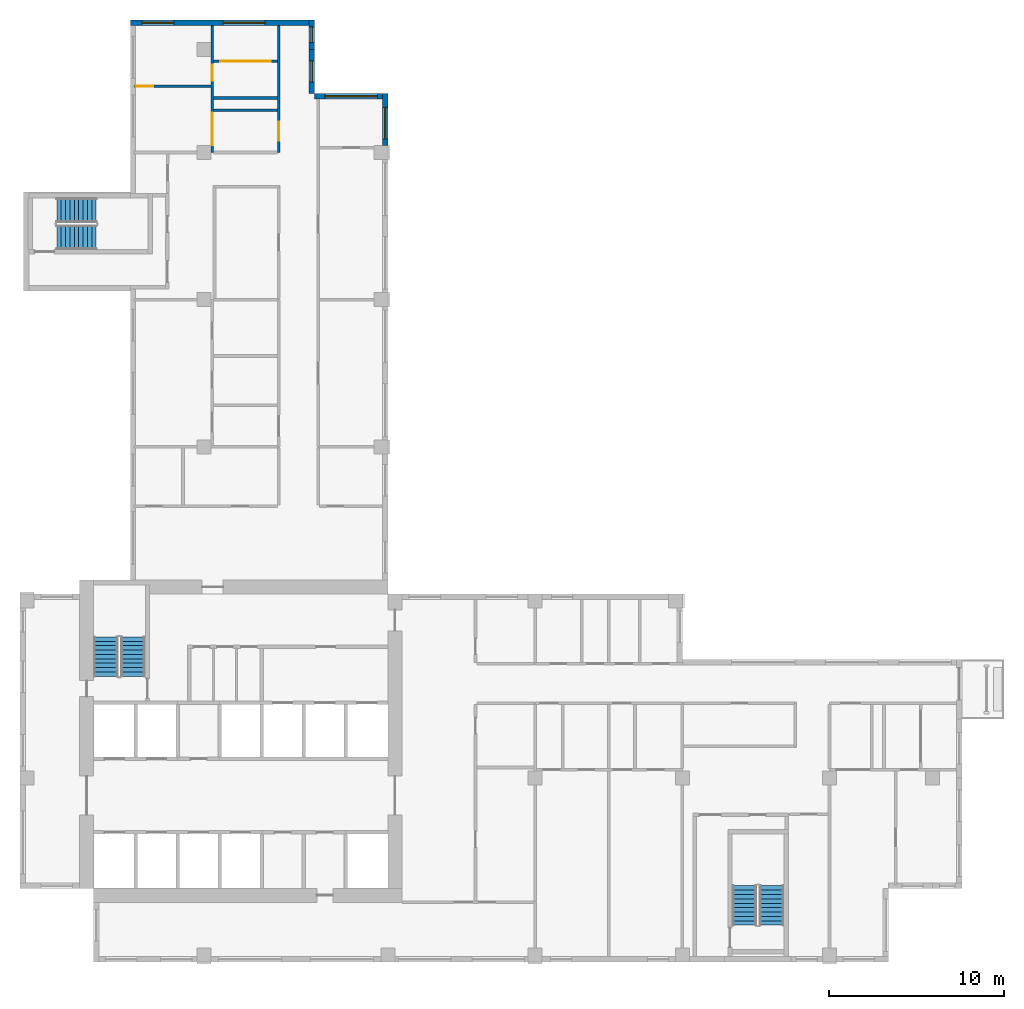
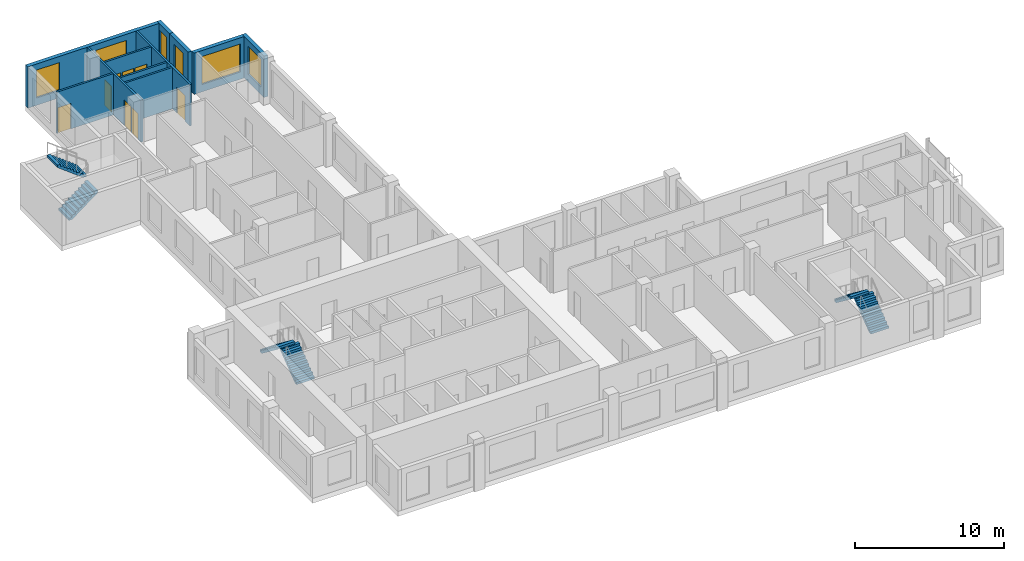
# One storey, part 7 of 11: 11 walls, 8 doors, 6 stair flights, 6 windows, 14 openings, 3 elements without a shape of their own.
"""IFC4 building model written with IfcOpenShell, lengths in metres."""

from ifc_helpers import new_model, si_unit, direction, frame, frame_2d, origin, place, context, subcontext, project, spatial, polyline, rectangle, outline, extrude, source, transform, mapped, material, layer, layer_set, type_object, element, fill, aggregate, save


model = new_model("IFC4")

# Units and contexts
model_context = context("Model", 3, precision=1e-05, world=origin(), true_north=direction((0.0, 1.0)))
body_context = subcontext(model_context, "Body", "Model", "MODEL_VIEW")
ifc_project = project(units=[si_unit("LENGTHUNIT", "METRE"), si_unit("AREAUNIT", "SQUARE_METRE"), si_unit("VOLUMEUNIT", "CUBIC_METRE"), si_unit("PLANEANGLEUNIT", "RADIAN"), si_unit("MASSUNIT", "GRAM", prefix="KILO")], contexts=[model_context])

# Site, building, storey
site_placement = place(None, origin())
site = spatial("IfcSite", under=ifc_project, at=site_placement, CompositionType="ELEMENT")
building_placement = place(site_placement, origin())
building = spatial("IfcBuilding", under=site, at=building_placement, Name="Aurelian Terraces", CompositionType="ELEMENT")
storey_placement = place(building_placement, frame((0.0, 0.0, 265.2)))
storey = spatial("IfcBuildingStorey", under=building, at=storey_placement, Name="L61", CompositionType="ELEMENT", Elevation=265.2)

# Wall, opening, window
ifc_material_1 = material(Name="Terracotta rainscreen cladding", Category="masonry")
ifc_layer_1 = layer(ifc_material_1, 0.3)
ifc_layer_set_1 = layer_set([ifc_layer_1], Name="EW-300")
wall_type_1 = type_object("IfcWallType", Name="EW-300", PredefinedType="STANDARD", material=ifc_layer_set_1)
shared_shape_1 = source(origin(), body_context, "Body", "SweptSolid", [
    extrude(rectangle(XDim=4.2, YDim=0.3, at=frame_2d((2.1, 0.0))), origin(), (0.0, 0.0, 1.0), 3.4),
])
wall_1_placement = place(storey_placement, frame((21.0, 49.41, 0.0), z_axis=(0.0, 0.0, 1.0), x_axis=(-1.0, 0.0, 0.0)))
wall_1 = element("IfcWall", 1, at=wall_1_placement, inside=storey, type_object=wall_type_1, Name="External wall L61 F09.21", PredefinedType="STANDARD", context=body_context, shape_type="MappedRepresentation", body=[
    mapped(shared_shape_1, transform((0.0, 0.0, 0.0), scale=1.0)),
])
shared_shape_2 = source(origin(), body_context, "Body", "SweptSolid", [
    extrude(rectangle(XDim=3.0, YDim=2.3, at=frame_2d((1.5, 1.15))), frame((0.0, 0.16, 0.0), z_axis=(0.0, -1.0, 0.0), x_axis=(1.0, 0.0, 0.0)), (0.0, 0.0, 1.0), 0.32),
])
opening_1_placement = place(wall_1_placement, frame((0.6, 0.0, 0.6)))
opening_1 = element("IfcOpeningElement", 2, at=opening_1_placement, cuts=wall_1, Name="Opening W3023", PredefinedType="OPENING", context=body_context, shape_type="MappedRepresentation", body=[
    mapped(shared_shape_2, transform((0.0, 0.0, 0.0), scale=1.0)),
])
ifc_material_2 = material(Name="Clear glazing", Category="glass")
window_type_1 = type_object("IfcWindowType", Name="W-3000x2300", PartitioningType="SINGLE_PANEL", PredefinedType="WINDOW", material=ifc_material_2)
shared_shape_3 = source(origin(), body_context, "Body", "SweptSolid", [
    extrude(rectangle(XDim=3.0, YDim=2.3, at=frame_2d((1.5, 1.15))), frame((0.0, 0.03, 0.0), z_axis=(0.0, -1.0, 0.0), x_axis=(1.0, 0.0, 0.0)), (0.0, 0.0, 1.0), 0.06),
])
window_1_placement = place(opening_1_placement, origin())
window_1 = element("IfcWindow", 3, at=window_1_placement, inside=storey, type_object=window_type_1, Name="Window L61 L61-F09-21-0", OverallHeight=2.3, OverallWidth=3.0, PartitioningType="SINGLE_PANEL", PredefinedType="WINDOW", context=body_context, shape_type="MappedRepresentation", body=[
    mapped(shared_shape_3, transform((0.0, 0.0, 0.0), scale=1.0)),
])
fill(opening_1, window_1)

shared_shape_4 = source(origin(), body_context, "Body", "SweptSolid", [
    extrude(rectangle(XDim=2.52, YDim=0.3, at=frame_2d((1.26, 0.0))), origin(), (0.0, 0.0, 1.0), 3.4),
])
wall_2_placement = place(storey_placement, frame((16.65, 49.56, 0.0), z_axis=(0.0, 0.0, 1.0), x_axis=(0.0, 1.0, 0.0)))
wall_2 = element("IfcWall", 4, at=wall_2_placement, inside=storey, type_object=wall_type_1, Name="External wall L61 F10.22", PredefinedType="STANDARD", context=body_context, shape_type="MappedRepresentation", body=[
    mapped(shared_shape_4, transform((0.0, 0.0, 0.0), scale=1.0)),
])
shared_shape_5 = source(origin(), body_context, "Body", "SweptSolid", [
    extrude(rectangle(XDim=1.2, YDim=2.3, at=frame_2d((0.6, 1.15))), frame((0.0, 0.16, 0.0), z_axis=(0.0, -1.0, 0.0), x_axis=(1.0, 0.0, 0.0)), (0.0, 0.0, 1.0), 0.32),
])
opening_2_placement = place(wall_2_placement, frame((0.66, 0.0, 0.6)))
opening_2 = element("IfcOpeningElement", 5, at=opening_2_placement, cuts=wall_2, Name="Opening W1223", PredefinedType="OPENING", context=body_context, shape_type="MappedRepresentation", body=[
    mapped(shared_shape_5, transform((0.0, 0.0, 0.0), scale=1.0)),
])
window_type_2 = type_object("IfcWindowType", Name="W-1200x2300", PartitioningType="SINGLE_PANEL", PredefinedType="WINDOW", material=ifc_material_2)
shared_shape_6 = source(origin(), body_context, "Body", "SweptSolid", [
    extrude(rectangle(XDim=1.2, YDim=2.3, at=frame_2d((0.6, 1.15))), frame((0.0, 0.03, 0.0), z_axis=(0.0, -1.0, 0.0), x_axis=(1.0, 0.0, 0.0)), (0.0, 0.0, 1.0), 0.06),
])
window_2_placement = place(opening_2_placement, origin())
window_2 = element("IfcWindow", 6, at=window_2_placement, inside=storey, type_object=window_type_2, Name="Window L61 L61-F10-22-0", OverallHeight=2.3, OverallWidth=1.2, PartitioningType="SINGLE_PANEL", PredefinedType="WINDOW", context=body_context, shape_type="MappedRepresentation", body=[
    mapped(shared_shape_6, transform((0.0, 0.0, 0.0), scale=1.0)),
])
fill(opening_2, window_2)

shared_shape_7 = source(origin(), body_context, "Body", "SweptSolid", [
    extrude(rectangle(XDim=1.68, YDim=0.3, at=frame_2d((0.84, 0.0))), origin(), (0.0, 0.0, 1.0), 3.4),
])
wall_3_placement = place(storey_placement, frame((16.65, 52.08, 0.0), z_axis=(0.0, 0.0, 1.0), x_axis=(0.0, 1.0, 0.0)))
wall_3 = element("IfcWall", 7, at=wall_3_placement, inside=storey, type_object=wall_type_1, Name="External wall L61 F10.23", PredefinedType="STANDARD", context=body_context, shape_type="MappedRepresentation", body=[
    mapped(shared_shape_7, transform((0.0, 0.0, 0.0), scale=1.0)),
])
shared_shape_8 = source(origin(), body_context, "Body", "SweptSolid", [
    extrude(rectangle(XDim=0.9, YDim=2.3, at=frame_2d((0.45, 1.15))), frame((0.0, 0.16, 0.0), z_axis=(0.0, -1.0, 0.0), x_axis=(1.0, 0.0, 0.0)), (0.0, 0.0, 1.0), 0.32),
])
opening_3_placement = place(wall_3_placement, frame((0.39, 0.0, 0.6)))
opening_3 = element("IfcOpeningElement", 8, at=opening_3_placement, cuts=wall_3, Name="Opening W0923", PredefinedType="OPENING", context=body_context, shape_type="MappedRepresentation", body=[
    mapped(shared_shape_8, transform((0.0, 0.0, 0.0), scale=1.0)),
])
window_type_3 = type_object("IfcWindowType", Name="W-900x2300", PartitioningType="SINGLE_PANEL", PredefinedType="WINDOW", material=ifc_material_2)
shared_shape_9 = source(origin(), body_context, "Body", "SweptSolid", [
    extrude(rectangle(XDim=0.9, YDim=2.3, at=frame_2d((0.45, 1.15))), frame((0.0, 0.03, 0.0), z_axis=(0.0, -1.0, 0.0), x_axis=(1.0, 0.0, 0.0)), (0.0, 0.0, 1.0), 0.06),
])
window_3_placement = place(opening_3_placement, origin())
window_3 = element("IfcWindow", 9, at=window_3_placement, inside=storey, type_object=window_type_3, Name="Window L61 L61-F10-23-P0", OverallHeight=2.3, OverallWidth=0.9, PartitioningType="SINGLE_PANEL", PredefinedType="WINDOW", context=body_context, shape_type="MappedRepresentation", body=[
    mapped(shared_shape_9, transform((0.0, 0.0, 0.0), scale=1.0)),
])
fill(opening_3, window_3)

# Wall, openings, windows
shared_shape_10 = source(origin(), body_context, "Body", "SweptSolid", [
    extrude(rectangle(XDim=10.5, YDim=0.3, at=frame_2d((5.25, 0.0))), origin(), (0.0, 0.0, 1.0), 3.4),
])
wall_4_placement = place(storey_placement, frame((16.8, 53.61, 0.0), z_axis=(0.0, 0.0, 1.0), x_axis=(-1.0, 0.0, 0.0)))
wall_4 = element("IfcWall", 10, at=wall_4_placement, inside=storey, type_object=wall_type_1, Name="External wall L61 F11.24", PredefinedType="STANDARD", context=body_context, shape_type="MappedRepresentation", body=[
    mapped(shared_shape_10, transform((0.0, 0.0, 0.0), scale=1.0)),
])
shared_shape_11 = source(origin(), body_context, "Body", "SweptSolid", [
    extrude(rectangle(XDim=1.8, YDim=2.3, at=frame_2d((0.9, 1.15))), frame((0.0, 0.16, 0.0), z_axis=(0.0, -1.0, 0.0), x_axis=(1.0, 0.0, 0.0)), (0.0, 0.0, 1.0), 0.32),
])
opening_4_placement = place(wall_4_placement, frame((8.025, 0.0, 0.6)))
opening_4 = element("IfcOpeningElement", 11, at=opening_4_placement, cuts=wall_4, Name="Opening W1823", PredefinedType="OPENING", context=body_context, shape_type="MappedRepresentation", body=[
    mapped(shared_shape_11, transform((0.0, 0.0, 0.0), scale=1.0)),
])
shared_shape_12 = source(origin(), body_context, "Body", "SweptSolid", [
    extrude(rectangle(XDim=2.4, YDim=2.3, at=frame_2d((1.2, 1.15))), frame((0.0, 0.16, 0.0), z_axis=(0.0, -1.0, 0.0), x_axis=(1.0, 0.0, 0.0)), (0.0, 0.0, 1.0), 0.32),
])
opening_5_placement = place(wall_4_placement, frame((2.8125, 0.0, 0.6)))
opening_5 = element("IfcOpeningElement", 12, at=opening_5_placement, cuts=wall_4, Name="Opening W2423", PredefinedType="OPENING", context=body_context, shape_type="MappedRepresentation", body=[
    mapped(shared_shape_12, transform((0.0, 0.0, 0.0), scale=1.0)),
])
window_type_4 = type_object("IfcWindowType", Name="W-1800x2300", PartitioningType="SINGLE_PANEL", PredefinedType="WINDOW", material=ifc_material_2)
shared_shape_13 = source(origin(), body_context, "Body", "SweptSolid", [
    extrude(rectangle(XDim=1.8, YDim=2.3, at=frame_2d((0.9, 1.15))), frame((0.0, 0.03, 0.0), z_axis=(0.0, -1.0, 0.0), x_axis=(1.0, 0.0, 0.0)), (0.0, 0.0, 1.0), 0.06),
])
window_4_placement = place(opening_4_placement, origin())
window_4 = element("IfcWindow", 13, at=window_4_placement, inside=storey, type_object=window_type_4, Name="Window L61 L61-F11-24-2", OverallHeight=2.3, OverallWidth=1.8, PartitioningType="SINGLE_PANEL", PredefinedType="WINDOW", context=body_context, shape_type="MappedRepresentation", body=[
    mapped(shared_shape_13, transform((0.0, 0.0, 0.0), scale=1.0)),
])
fill(opening_4, window_4)
window_type_5 = type_object("IfcWindowType", Name="W-2400x2300", PartitioningType="SINGLE_PANEL", PredefinedType="WINDOW", material=ifc_material_2)
shared_shape_14 = source(origin(), body_context, "Body", "SweptSolid", [
    extrude(rectangle(XDim=2.4, YDim=2.3, at=frame_2d((1.2, 1.15))), frame((0.0, 0.03, 0.0), z_axis=(0.0, -1.0, 0.0), x_axis=(1.0, 0.0, 0.0)), (0.0, 0.0, 1.0), 0.06),
])
window_5_placement = place(opening_5_placement, origin())
window_5 = element("IfcWindow", 14, at=window_5_placement, inside=storey, type_object=window_type_5, Name="Window L61 L61-F11-24-G0-0", OverallHeight=2.3, OverallWidth=2.4, PartitioningType="SINGLE_PANEL", PredefinedType="WINDOW", context=body_context, shape_type="MappedRepresentation", body=[
    mapped(shared_shape_14, transform((0.0, 0.0, 0.0), scale=1.0)),
])
fill(opening_5, window_5)

# Wall, opening, window
shared_shape_15 = source(origin(), body_context, "Body", "SweptSolid", [
    extrude(rectangle(XDim=2.96, YDim=0.3, at=frame_2d((1.48, 0.0))), origin(), (0.0, 0.0, 1.0), 3.4),
])
wall_5_placement = place(storey_placement, frame((20.85, 46.6, 0.0), z_axis=(0.0, 0.0, 1.0), x_axis=(0.0, 1.0, 0.0)))
wall_5 = element("IfcWall", 15, at=wall_5_placement, inside=storey, type_object=wall_type_1, Name="External wall L61 F08.20", PredefinedType="STANDARD", context=body_context, shape_type="MappedRepresentation", body=[
    mapped(shared_shape_15, transform((0.0, 0.0, 0.0), scale=1.0)),
])
opening_6_placement = place(wall_5_placement, frame((0.38, 0.0, 0.6)))
opening_6 = element("IfcOpeningElement", 16, at=opening_6_placement, cuts=wall_5, Name="Opening W1823", PredefinedType="OPENING", context=body_context, shape_type="MappedRepresentation", body=[
    mapped(shared_shape_11, transform((0.0, 0.0, 0.0), scale=1.0)),
])
window_6_placement = place(opening_6_placement, origin())
window_6 = element("IfcWindow", 17, at=window_6_placement, inside=storey, type_object=window_type_4, Name="Window L61 L61-F08-20-0", OverallHeight=2.3, OverallWidth=1.8, PartitioningType="SINGLE_PANEL", PredefinedType="WINDOW", context=body_context, shape_type="MappedRepresentation", body=[
    mapped(shared_shape_13, transform((0.0, 0.0, 0.0), scale=1.0)),
])
fill(opening_6, window_6)

# Wall, openings, doors
ifc_material_3 = material(Name="Gypsum board on steel studs", Category="steel")
ifc_layer_2 = layer(ifc_material_3, 0.15)
ifc_layer_set_2 = layer_set([ifc_layer_2], Name="Partition 150")
wall_type_2 = type_object("IfcWallType", Name="Partition 150", PredefinedType="PARTITIONING", material=ifc_layer_set_2)
shared_shape_16 = source(origin(), body_context, "Body", "SweptSolid", [
    extrude(rectangle(XDim=7.26, YDim=0.15, at=frame_2d((3.63, 0.0))), origin(), (0.0, 0.0, 1.0), 3.4),
])
wall_6_placement = place(storey_placement, frame((10.975, 46.2, 0.0), z_axis=(0.0, 0.0, 1.0), x_axis=(0.0, 1.0, 0.0)))
wall_6 = element("IfcWall", 18, at=wall_6_placement, inside=storey, type_object=wall_type_2, Name="Partition", PredefinedType="PARTITIONING", context=body_context, shape_type="MappedRepresentation", body=[
    mapped(shared_shape_16, transform((0.0, 0.0, 0.0), scale=1.0)),
])
shared_shape_17 = source(origin(), body_context, "Body", "SweptSolid", [
    extrude(rectangle(XDim=0.9, YDim=2.1, at=frame_2d((0.45, 1.05))), frame((0.0, 0.085, 0.0), z_axis=(0.0, -1.0, 0.0), x_axis=(1.0, 0.0, 0.0)), (0.0, 0.0, 1.0), 0.17),
])
opening_7_placement = place(wall_6_placement, frame((1.361, 0.0, 0.0)))
opening_7 = element("IfcOpeningElement", 19, at=opening_7_placement, cuts=wall_6, Name="Opening 761032", PredefinedType="OPENING", context=body_context, shape_type="MappedRepresentation", body=[
    mapped(shared_shape_17, transform((0.0, 0.0, 0.0), scale=1.0)),
])
opening_8_placement = place(wall_6_placement, frame((0.41, 0.0, 0.0)))
opening_8 = element("IfcOpeningElement", 20, at=opening_8_placement, cuts=wall_6, Name="Opening 761033", PredefinedType="OPENING", context=body_context, shape_type="MappedRepresentation", body=[
    mapped(shared_shape_17, transform((0.0, 0.0, 0.0), scale=1.0)),
])
opening_9_placement = place(wall_6_placement, frame((4.0961, 0.0, 0.0)))
opening_9 = element("IfcOpeningElement", 21, at=opening_9_placement, cuts=wall_6, Name="Opening 761034", PredefinedType="OPENING", context=body_context, shape_type="MappedRepresentation", body=[
    mapped(shared_shape_17, transform((0.0, 0.0, 0.0), scale=1.0)),
])
ifc_material_4 = material(Name="Timber door leaf", Category="wood")
door_type_1 = type_object("IfcDoorType", Name="Room door 900x2100 right", OperationType="SINGLE_SWING_RIGHT", PredefinedType="DOOR", material=ifc_material_4)
shared_shape_18 = source(origin(), body_context, "Body", "SweptSolid", [
    extrude(rectangle(XDim=0.9, YDim=2.1, at=frame_2d((0.45, 1.05))), frame((0.0, 0.025, 0.0), z_axis=(0.0, -1.0, 0.0), x_axis=(1.0, 0.0, 0.0)), (0.0, 0.0, 1.0), 0.05),
])
door_1_placement = place(opening_7_placement, origin())
door_1 = element("IfcDoor", 22, at=door_1_placement, inside=storey, type_object=door_type_1, Name="Door 761032", OperationType="SINGLE_SWING_RIGHT", OverallHeight=2.1, OverallWidth=0.9, PredefinedType="DOOR", context=body_context, shape_type="MappedRepresentation", body=[
    mapped(shared_shape_18, transform((0.0, 0.0, 0.0), scale=1.0)),
])
fill(opening_7, door_1)
door_type_2 = type_object("IfcDoorType", Name="Room door 900x2100 left", OperationType="SINGLE_SWING_LEFT", PredefinedType="DOOR", material=ifc_material_4)
door_2_placement = place(opening_8_placement, origin())
door_2 = element("IfcDoor", 23, at=door_2_placement, inside=storey, type_object=door_type_2, Name="Door 761033", OperationType="SINGLE_SWING_LEFT", OverallHeight=2.1, OverallWidth=0.9, PredefinedType="DOOR", context=body_context, shape_type="MappedRepresentation", body=[
    mapped(shared_shape_18, transform((0.0, 0.0, 0.0), scale=1.0)),
])
fill(opening_8, door_2)
door_3_placement = place(opening_9_placement, origin())
door_3 = element("IfcDoor", 24, at=door_3_placement, inside=storey, type_object=door_type_1, Name="Door 761034", OperationType="SINGLE_SWING_RIGHT", OverallHeight=2.1, OverallWidth=0.9, PredefinedType="DOOR", context=body_context, shape_type="MappedRepresentation", body=[
    mapped(shared_shape_18, transform((0.0, 0.0, 0.0), scale=1.0)),
])
fill(opening_9, door_3)

# Wall, opening, door
ifc_layer_3 = layer(ifc_material_3, 0.15)
ifc_layer_set_3 = layer_set([ifc_layer_3], Name="Fire partition 150")
wall_type_3 = type_object("IfcWallType", Name="Fire partition 150", PredefinedType="PARTITIONING", material=ifc_layer_set_3)
wall_7_placement = place(storey_placement, frame((14.775, 46.2, 0.0), z_axis=(0.0, 0.0, 1.0), x_axis=(0.0, 1.0, 0.0)))
wall_7 = element("IfcWall", 25, at=wall_7_placement, inside=storey, type_object=wall_type_3, Name="Corridor wall", PredefinedType="PARTITIONING", context=body_context, shape_type="MappedRepresentation", body=[
    mapped(shared_shape_16, transform((0.0, 0.0, 0.0), scale=1.0)),
])
shared_shape_19 = source(origin(), body_context, "Body", "SweptSolid", [
    extrude(rectangle(XDim=1.1, YDim=2.1, at=frame_2d((0.55, 1.05))), frame((0.0, 0.085, 0.0), z_axis=(0.0, -1.0, 0.0), x_axis=(1.0, 0.0, 0.0)), (0.0, 0.0, 1.0), 0.17),
])
opening_10_placement = place(wall_7_placement, frame((0.6582, 0.0, 0.0)))
opening_10 = element("IfcOpeningElement", 26, at=opening_10_placement, cuts=wall_7, Name="Opening 761031", PredefinedType="OPENING", context=body_context, shape_type="MappedRepresentation", body=[
    mapped(shared_shape_19, transform((0.0, 0.0, 0.0), scale=1.0)),
])
ifc_material_5 = material(Name="Steel door leaf", Category="steel")
door_type_3 = type_object("IfcDoorType", Name="Entrance fire door 1100x2100 left", OperationType="SINGLE_SWING_LEFT", PredefinedType="DOOR", material=ifc_material_5)
shared_shape_20 = source(origin(), body_context, "Body", "SweptSolid", [
    extrude(rectangle(XDim=1.1, YDim=2.1, at=frame_2d((0.55, 1.05))), frame((0.0, 0.025, 0.0), z_axis=(0.0, -1.0, 0.0), x_axis=(1.0, 0.0, 0.0)), (0.0, 0.0, 1.0), 0.05),
])
door_4_placement = place(opening_10_placement, origin())
door_4 = element("IfcDoor", 27, at=door_4_placement, inside=storey, type_object=door_type_3, Name="Door 761031", OperationType="SINGLE_SWING_LEFT", OverallHeight=2.1, OverallWidth=1.1, PredefinedType="DOOR", context=body_context, shape_type="MappedRepresentation", body=[
    mapped(shared_shape_20, transform((0.0, 0.0, 0.0), scale=1.0)),
])
fill(opening_10, door_4)

# Walls
shared_shape_21 = source(origin(), body_context, "Body", "SweptSolid", [
    extrude(rectangle(XDim=3.65, YDim=0.15, at=frame_2d((1.825, 0.0))), origin(), (0.0, 0.0, 1.0), 3.4),
])
for number, where, z_axis, x_axis, name in (
    (28, (14.7, 48.6165, 0.0), (0.0, 0.0, 1.0), (-1.0, 0.0, 0.0), "Partition"),
    (29, (14.7, 49.3093, 0.0), (0.0, 0.0, 1.0), (-1.0, 0.0, 0.0), "Partition"),
):
    element("IfcWall", number, at=place(storey_placement, frame(where, z_axis=z_axis, x_axis=x_axis)), inside=storey, type_object=wall_type_2, Name=name, PredefinedType="PARTITIONING", context=body_context, shape_type="MappedRepresentation", body=[
        mapped(shared_shape_21, transform((0.0, 0.0, 0.0), scale=1.0)),
    ])

# Wall, openings, doors
wall_8_placement = place(storey_placement, frame((14.7, 51.4123, 0.0), z_axis=(0.0, 0.0, 1.0), x_axis=(-1.0, 0.0, 0.0)))
wall_8 = element("IfcWall", 30, at=wall_8_placement, inside=storey, type_object=wall_type_2, Name="Partition", PredefinedType="PARTITIONING", context=body_context, shape_type="MappedRepresentation", body=[
    mapped(shared_shape_21, transform((0.0, 0.0, 0.0), scale=1.0)),
])
opening_11_placement = place(wall_8_placement, frame((1.375, 0.0, 0.0)))
opening_11 = element("IfcOpeningElement", 31, at=opening_11_placement, cuts=wall_8, Name="Opening 761041", PredefinedType="OPENING", context=body_context, shape_type="MappedRepresentation", body=[
    mapped(shared_shape_17, transform((0.0, 0.0, 0.0), scale=1.0)),
])
opening_12_placement = place(wall_8_placement, frame((0.375, 0.0, 0.0)))
opening_12 = element("IfcOpeningElement", 32, at=opening_12_placement, cuts=wall_8, Name="Opening 761043", PredefinedType="OPENING", context=body_context, shape_type="MappedRepresentation", body=[
    mapped(shared_shape_17, transform((0.0, 0.0, 0.0), scale=1.0)),
])
opening_13_placement = place(wall_8_placement, frame((2.375, 0.0, 0.0)))
opening_13 = element("IfcOpeningElement", 33, at=opening_13_placement, cuts=wall_8, Name="Opening 761045", PredefinedType="OPENING", context=body_context, shape_type="MappedRepresentation", body=[
    mapped(shared_shape_17, transform((0.0, 0.0, 0.0), scale=1.0)),
])
door_5_placement = place(opening_11_placement, origin())
door_5 = element("IfcDoor", 34, at=door_5_placement, inside=storey, type_object=door_type_2, Name="Door 761041", OperationType="SINGLE_SWING_LEFT", OverallHeight=2.1, OverallWidth=0.9, PredefinedType="DOOR", context=body_context, shape_type="MappedRepresentation", body=[
    mapped(shared_shape_18, transform((0.0, 0.0, 0.0), scale=1.0)),
])
fill(opening_11, door_5)
door_type_4 = type_object("IfcDoorType", Name="Entrance fire door 900x2100 left", OperationType="SINGLE_SWING_LEFT", PredefinedType="DOOR", material=ifc_material_5)
door_6_placement = place(opening_12_placement, origin())
door_6 = element("IfcDoor", 35, at=door_6_placement, inside=storey, type_object=door_type_4, Name="Door 761043", OperationType="SINGLE_SWING_LEFT", OverallHeight=2.1, OverallWidth=0.9, PredefinedType="DOOR", context=body_context, shape_type="MappedRepresentation", body=[
    mapped(shared_shape_18, transform((0.0, 0.0, 0.0), scale=1.0)),
])
fill(opening_12, door_6)
door_7_placement = place(opening_13_placement, origin())
door_7 = element("IfcDoor", 36, at=door_7_placement, inside=storey, type_object=door_type_4, Name="Door 761045", OperationType="SINGLE_SWING_LEFT", OverallHeight=2.1, OverallWidth=0.9, PredefinedType="DOOR", context=body_context, shape_type="MappedRepresentation", body=[
    mapped(shared_shape_18, transform((0.0, 0.0, 0.0), scale=1.0)),
])
fill(opening_13, door_7)

# Wall, opening, door
shared_shape_22 = source(origin(), body_context, "Body", "SweptSolid", [
    extrude(rectangle(XDim=4.395, YDim=0.15, at=frame_2d((2.1975, 0.0))), origin(), (0.0, 0.0, 1.0), 3.4),
])
wall_9_placement = place(storey_placement, frame((10.9, 49.98, 0.0), z_axis=(0.0, 0.0, 1.0), x_axis=(-1.0, 0.0, 0.0)))
wall_9 = element("IfcWall", 37, at=wall_9_placement, inside=storey, type_object=wall_type_2, Name="Partition", PredefinedType="PARTITIONING", context=body_context, shape_type="MappedRepresentation", body=[
    mapped(shared_shape_22, transform((0.0, 0.0, 0.0), scale=1.0)),
])
shared_shape_23 = source(origin(), body_context, "Body", "SweptSolid", [
    extrude(rectangle(XDim=1.0, YDim=2.1, at=frame_2d((0.5, 1.05))), frame((0.0, 0.085, 0.0), z_axis=(0.0, -1.0, 0.0), x_axis=(1.0, 0.0, 0.0)), (0.0, 0.0, 1.0), 0.17),
])
opening_14_placement = place(wall_9_placement, frame((3.3, 0.0, 0.0)))
opening_14 = element("IfcOpeningElement", 38, at=opening_14_placement, cuts=wall_9, Name="Opening 761035", PredefinedType="OPENING", context=body_context, shape_type="MappedRepresentation", body=[
    mapped(shared_shape_23, transform((0.0, 0.0, 0.0), scale=1.0)),
])
door_type_5 = type_object("IfcDoorType", Name="Room door 1000x2100 right", OperationType="SINGLE_SWING_RIGHT", PredefinedType="DOOR", material=ifc_material_4)
shared_shape_24 = source(origin(), body_context, "Body", "SweptSolid", [
    extrude(rectangle(XDim=1.0, YDim=2.1, at=frame_2d((0.5, 1.05))), frame((0.0, 0.025, 0.0), z_axis=(0.0, -1.0, 0.0), x_axis=(1.0, 0.0, 0.0)), (0.0, 0.0, 1.0), 0.05),
])
door_8_placement = place(opening_14_placement, origin())
door_8 = element("IfcDoor", 39, at=door_8_placement, inside=storey, type_object=door_type_5, Name="Door 761035", OperationType="SINGLE_SWING_RIGHT", OverallHeight=2.1, OverallWidth=1.0, PredefinedType="DOOR", context=body_context, shape_type="MappedRepresentation", body=[
    mapped(shared_shape_24, transform((0.0, 0.0, 0.0), scale=1.0)),
])
fill(opening_14, door_8)

# Stair, stair flights
ifc_material_6 = material(Name="Concrete fc' 40 MPa", Category="concrete")
stair_type = type_object("IfcStairType", Name="Stair 1400", PredefinedType="HALF_TURN_STAIR", material=ifc_material_6)
stair_1_placement = place(storey_placement, origin())
stair_1 = element("IfcStair", 40, at=stair_1_placement, inside=storey, type_object=stair_type, Name="L61 S1", PredefinedType="HALF_TURN_STAIR")
stair_flight_type = type_object("IfcStairFlightType", Name="Stair flight 1400", PredefinedType="STRAIGHT", material=ifc_material_6)
shared_shape_25 = source(origin(), body_context, "Body", "SweptSolid", [
    extrude(outline(polyline([(0.0, 0.0), (0.0, 0.19), (0.25, 0.19), (0.25, 0.38), (0.5, 0.38), (0.5, 0.57), (0.75, 0.57), (0.75, 0.76), (1.0, 0.76), (1.0, 0.95), (1.25, 0.95), (1.25, 1.14), (1.5, 1.14), (1.5, 1.33), (1.75, 1.33), (1.75, 1.52), (2.0, 1.52), (2.0, 1.71), (2.25, 1.71), (2.25, 1.9), (2.25, 1.5216), (0.2479, 0.0), (0.0, 0.0)])), frame((0.0, 0.7, 0.0), z_axis=(0.0, -1.0, 0.0), x_axis=(1.0, 0.0, 0.0)), (0.0, 0.0, 1.0), 1.4),
])
stair_flight_1_placement = place(storey_placement, frame((6.45, 16.3, 2e-08), z_axis=(0.0, 0.0, 1.0), x_axis=(0.0, 1.0, 0.0)))
stair_flight_1 = element("IfcStairFlight", 41, at=stair_flight_1_placement, type_object=stair_flight_type, Name="S1 flight 1", NumberOfRisers=10, NumberOfTreads=9, PredefinedType="STRAIGHT", RiserHeight=0.19, TreadLength=0.25, context=body_context, shape_type="MappedRepresentation", body=[
    mapped(shared_shape_25, transform((0.0, 0.0, 0.0), scale=1.0)),
])
stair_flight_2_placement = place(storey_placement, frame((4.9, 18.55, 1.9000000200000342), z_axis=(0.0, 0.0, 1.0), x_axis=(0.0, -1.0, 0.0)))
stair_flight_2 = element("IfcStairFlight", 42, at=stair_flight_2_placement, type_object=stair_flight_type, Name="S1 flight 2", NumberOfRisers=10, NumberOfTreads=9, PredefinedType="STRAIGHT", RiserHeight=0.19, TreadLength=0.25, context=body_context, shape_type="MappedRepresentation", body=[
    mapped(shared_shape_25, transform((0.0, 0.0, 0.0), scale=1.0)),
])
aggregate(stair_1, [stair_flight_1, stair_flight_2])

stair_2_placement = place(storey_placement, origin())
stair_2 = element("IfcStair", 43, at=stair_2_placement, inside=storey, type_object=stair_type, Name="L61 S2", PredefinedType="HALF_TURN_STAIR")
stair_flight_3_placement = place(storey_placement, frame((42.9, 2.1, 2e-08), z_axis=(0.0, 0.0, 1.0), x_axis=(0.0, 1.0, 0.0)))
stair_flight_3 = element("IfcStairFlight", 44, at=stair_flight_3_placement, type_object=stair_flight_type, Name="S2 flight 1", NumberOfRisers=10, NumberOfTreads=9, PredefinedType="STRAIGHT", RiserHeight=0.19, TreadLength=0.25, context=body_context, shape_type="MappedRepresentation", body=[
    mapped(shared_shape_25, transform((0.0, 0.0, 0.0), scale=1.0)),
])
stair_flight_4_placement = place(storey_placement, frame((41.35, 4.35, 1.9000000200000342), z_axis=(0.0, 0.0, 1.0), x_axis=(0.0, -1.0, 0.0)))
stair_flight_4 = element("IfcStairFlight", 45, at=stair_flight_4_placement, type_object=stair_flight_type, Name="S2 flight 2", NumberOfRisers=10, NumberOfTreads=9, PredefinedType="STRAIGHT", RiserHeight=0.19, TreadLength=0.25, context=body_context, shape_type="MappedRepresentation", body=[
    mapped(shared_shape_25, transform((0.0, 0.0, 0.0), scale=1.0)),
])
aggregate(stair_2, [stair_flight_3, stair_flight_4])

stair_3_placement = place(storey_placement, origin())
stair_3 = element("IfcStair", 46, at=stair_3_placement, inside=storey, type_object=stair_type, Name="L61 S3", PredefinedType="HALF_TURN_STAIR")
stair_flight_5_placement = place(storey_placement, frame((2.1, 41.35, 2e-08), z_axis=(0.0, 0.0, 1.0), x_axis=(1.0, 0.0, 0.0)))
stair_flight_5 = element("IfcStairFlight", 47, at=stair_flight_5_placement, type_object=stair_flight_type, Name="S3 flight 1", NumberOfRisers=10, NumberOfTreads=9, PredefinedType="STRAIGHT", RiserHeight=0.19, TreadLength=0.25, context=body_context, shape_type="MappedRepresentation", body=[
    mapped(shared_shape_25, transform((0.0, 0.0, 0.0), scale=1.0)),
])
stair_flight_6_placement = place(storey_placement, frame((4.35, 42.9, 1.9000000200000342), z_axis=(0.0, 0.0, 1.0), x_axis=(-1.0, 0.0, 0.0)))
stair_flight_6 = element("IfcStairFlight", 48, at=stair_flight_6_placement, type_object=stair_flight_type, Name="S3 flight 2", NumberOfRisers=10, NumberOfTreads=9, PredefinedType="STRAIGHT", RiserHeight=0.19, TreadLength=0.25, context=body_context, shape_type="MappedRepresentation", body=[
    mapped(shared_shape_25, transform((0.0, 0.0, 0.0), scale=1.0)),
])
aggregate(stair_3, [stair_flight_5, stair_flight_6])

save(model, "model.ifc")
